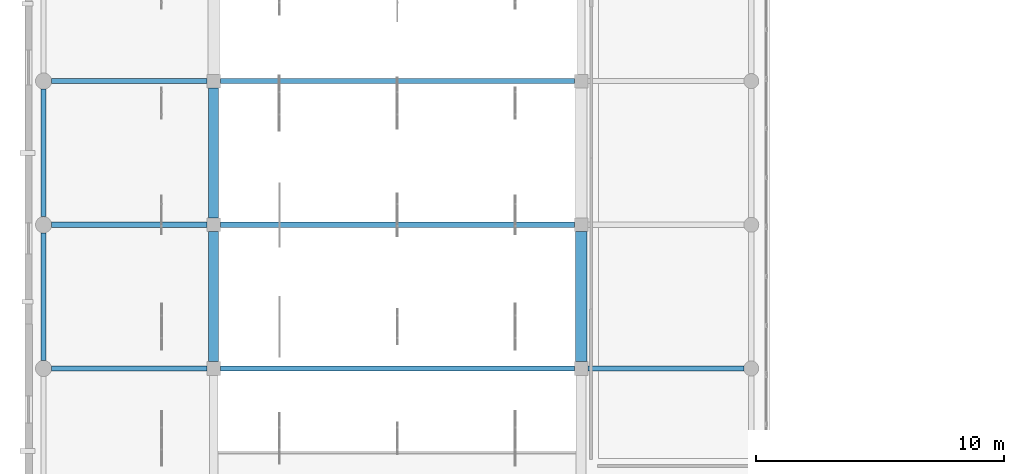
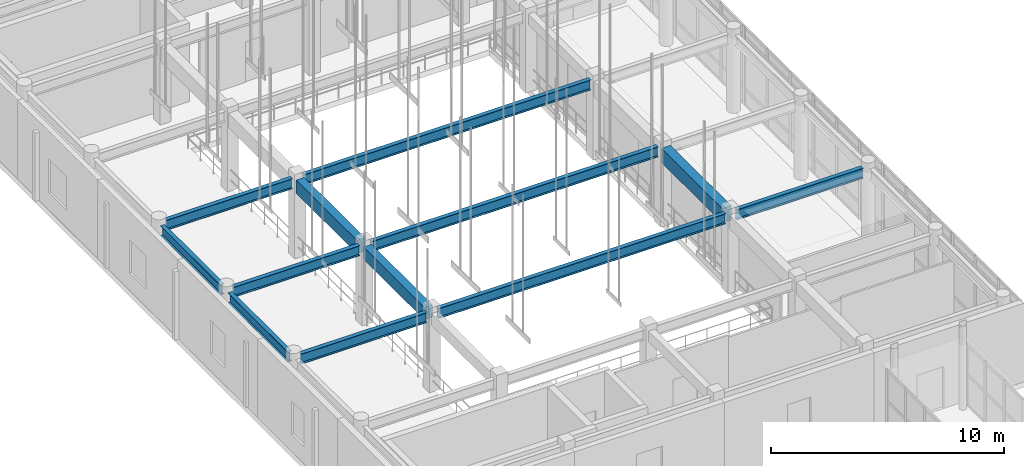
# One storey, part 32 of 142: 12 beams.
"""IFC4 building model written with IfcOpenShell, lengths in metres."""

import ifcopenshell
import ifcopenshell.guid

model = None  # the IFC model being written
_history = None  # IfcOwnerHistory: only IFC2X3 demands one
_inside = {}  # id of a spatial element -> (the spatial element, [elements in it])
_under = {}  # id of a project, library or spatial element -> (it, [spatial elements below it])
_declared = {}  # id of a project -> (the project, [libraries it declares])
_typed = {}  # id of a type object -> (the type object, [elements of that type])
_made_of = {}  # id of a material, layer set ... -> (it, [elements and type objects made of it])


def new_model(schema):
    """Start an empty IFC model of exactly this schema.

    Asked for "IFC4X3", IfcOpenShell would pick the latest addendum, in which some entities
    have other attributes; the version numbers below select the first issue.
    IFC2X3 requires an IfcOwnerHistory on every rooted entity: one is made here for all.
    """
    global model, _history
    if schema == "IFC4X3":
        model = ifcopenshell.file(schema_version=(4, 3, 0, 0))
    else:
        model = ifcopenshell.file(schema=schema)
    _inside.clear()
    _under.clear()
    _declared.clear()
    _typed.clear()
    _made_of.clear()
    _history = None
    if model.schema == "IFC2X3":
        org = make("IfcOrganization", Name="unknown")
        user = make(
            "IfcPersonAndOrganization",
            ThePerson=make("IfcPerson", FamilyName="unknown"),
            TheOrganization=org,
        )
        app = make(
            "IfcApplication",
            ApplicationDeveloper=org,
            Version="unknown",
            ApplicationFullName="unknown",
            ApplicationIdentifier="unknown",
        )
        _history = make(
            "IfcOwnerHistory",
            OwningUser=user,
            OwningApplication=app,
            ChangeAction="ADDED",
            CreationDate=0,
        )
    return model


def make(cls, **values):
    """One entity of the class cls with the attributes given. An attribute that is None is left unset."""
    return model.create_entity(
        cls, **{name: value for name, value in values.items() if value is not None}
    )


def rooted(cls, **values):
    """An entity with a GlobalId (a new one), such as an element, a storey or a relation."""
    return make(cls, GlobalId=ifcopenshell.guid.new(), OwnerHistory=_history, **values)


def si_unit(unit_type, name, prefix=None):
    """IfcSIUnit, for example si_unit("LENGTHUNIT", "METRE", prefix="MILLI")."""
    return make("IfcSIUnit", UnitType=unit_type, Prefix=prefix, Name=name)


def assignment(units):
    """IfcUnitAssignment: the units of a project."""
    return None if units is None else make("IfcUnitAssignment", Units=units)


def point(xyz):
    """IfcCartesianPoint."""
    return None if xyz is None else make("IfcCartesianPoint", Coordinates=xyz)


def direction(xyz):
    """IfcDirection."""
    return None if xyz is None else make("IfcDirection", DirectionRatios=xyz)


def frame(location, z_axis=None, x_axis=None):
    """IfcAxis2Placement3D, a coordinate frame: its origin and axes. An axis left out is left unset."""
    return make(
        "IfcAxis2Placement3D",
        Location=point(location),
        Axis=direction(z_axis),
        RefDirection=direction(x_axis),
    )


def frame_2d(location, x_axis=None):
    """IfcAxis2Placement2D, a coordinate frame in the plane: its origin and x axis."""
    return make(
        "IfcAxis2Placement2D", Location=point(location), RefDirection=direction(x_axis)
    )


def origin():
    """The frame at (0, 0, 0) with its axes left unset."""
    return frame((0.0, 0.0, 0.0))


def origin_2d():
    """The frame at (0, 0) in the plane with its x axis left unset."""
    return frame_2d((0.0, 0.0))


def place(relative_to, where):
    """IfcLocalPlacement: puts the frame where relative to a parent placement (None: the world)."""
    return make(
        "IfcLocalPlacement", PlacementRelTo=relative_to, RelativePlacement=where
    )


def context(
    kind, dimensions, precision=None, world=None, true_north=None, identifier=None
):
    """IfcGeometricRepresentationContext, for example the 3D "Model" context."""
    return make(
        "IfcGeometricRepresentationContext",
        ContextIdentifier=identifier,
        ContextType=kind,
        CoordinateSpaceDimension=dimensions,
        Precision=precision,
        WorldCoordinateSystem=world,
        TrueNorth=true_north,
    )


def subcontext(parent, identifier, kind, view, scale=None):
    """IfcGeometricRepresentationSubContext, for example "Body" below "Model"."""
    return make(
        "IfcGeometricRepresentationSubContext",
        ContextIdentifier=identifier,
        ContextType=kind,
        ParentContext=parent,
        TargetScale=scale,
        TargetView=view,
    )


def project(units=None, contexts=None):
    """IfcProject with its units and contexts."""
    return rooted(
        "IfcProject",
        Name="project",
        RepresentationContexts=contexts,
        UnitsInContext=assignment(units),
    )


def spatial(cls, under=None, at=None, **own):
    """A site, building, storey or space (cls), placed at a placement, below another one or the project."""
    s = rooted(cls, ObjectPlacement=at, **own)
    if under is not None:
        _under.setdefault(under.id(), (under, []))[1].append(s)
    return s


def profile(cls, at=None, kind="AREA", **sizes):
    """A parametric profile (cls). Its sizes go by their IFC names, for example OverallWidth=200.0."""
    return make(cls, ProfileType=kind, Position=at, **sizes)


def rectangle(**sizes):
    """IfcRectangleProfileDef."""
    return profile("IfcRectangleProfileDef", **sizes)


def i_section(**sizes):
    """IfcIShapeProfileDef."""
    return profile("IfcIShapeProfileDef", **sizes)


def extrude(swept, where, along, depth):
    """IfcExtrudedAreaSolid: the profile swept, set in the frame where, extruded along a direction by depth."""
    return make(
        "IfcExtrudedAreaSolid",
        SweptArea=swept,
        Position=where,
        ExtrudedDirection=direction(along),
        Depth=depth,
    )


def shape(context_of_items, identifier, shape_type, items):
    """IfcShapeRepresentation: the items that make up one representation, for example the "Body"."""
    return make(
        "IfcShapeRepresentation",
        ContextOfItems=context_of_items,
        RepresentationIdentifier=identifier,
        RepresentationType=shape_type,
        Items=items,
    )


def material(Name=None, Category=None):
    """IfcMaterial."""
    return make("IfcMaterial", Name=Name, Category=Category)


def material_profile(
    of_material, cross_section, Name=None, Category=None, Priority=None
):
    """IfcMaterialProfile: a cross section and its material."""
    return make(
        "IfcMaterialProfile",
        Name=Name,
        Material=of_material,
        Profile=cross_section,
        Priority=Priority,
        Category=Category,
    )


def profile_set(profiles, Name=None, composite=None):
    """IfcMaterialProfileSet."""
    return make(
        "IfcMaterialProfileSet",
        Name=Name,
        MaterialProfiles=profiles,
        CompositeProfile=composite,
    )


def made_of(thing, what):
    """Note that an element or type object is made of a material, layer set ...; save() writes the relation."""
    if what is not None:
        _made_of.setdefault(what.id(), (what, []))[1].append(thing)
    return thing


def type_object(cls, material=None, **own):
    """A type object (cls), such as IfcWallType, which elements share."""
    return made_of(rooted(cls, **own), material)


def element(
    cls,
    number,
    at=None,
    inside=None,
    cuts=None,
    type_object=None,
    material=None,
    context=None,
    identifier="Body",
    shape_type=None,
    held_by="IfcProductDefinitionShape",
    body=None,
    shapes=None,
    **own,
):
    """One element of the class cls, such as IfcWall. Its Tag is "e" and its number.

    at: its placement. inside: the storey or other place that contains it. cuts: it is an
    opening in that element (IfcRelVoidsElement). A single representation is given by context,
    identifier, shape_type and body (its items); several are given by shapes. held_by: the class
    of the entity that holds the representations. save() writes the other relations.
    """
    e = rooted(cls, Tag="e%d" % number, ObjectPlacement=at, **own)
    if body is not None:
        shapes = [shape(context, identifier, shape_type, body)]
    if shapes is not None:
        e.Representation = make(held_by, Representations=shapes)
    if inside is not None:
        _inside.setdefault(inside.id(), (inside, []))[1].append(e)
    if cuts is not None:
        rooted(
            "IfcRelVoidsElement", RelatingBuildingElement=cuts, RelatedOpeningElement=e
        )
    if type_object is not None:
        _typed.setdefault(type_object.id(), (type_object, []))[1].append(e)
    return made_of(e, material)


def aggregate(whole, parts):
    """IfcRelAggregates: a whole, such as a stair, and the parts it consists of."""
    return rooted("IfcRelAggregates", RelatingObject=whole, RelatedObjects=parts)


def save(model, path):
    """Write the relations noted so far, then the file.

    IfcRelAggregates (storeys below a building ...), IfcRelContainedInSpatialStructure (elements
    in a storey), IfcRelDefinesByType, IfcRelAssociatesMaterial and IfcRelDeclares: one each for
    every whole, place, type object, material and project.
    """
    for whole, parts in _under.values():
        aggregate(whole, parts)
    for where, things in _inside.values():
        rooted(
            "IfcRelContainedInSpatialStructure",
            RelatedElements=things,
            RelatingStructure=where,
        )
    for kind, things in _typed.values():
        rooted("IfcRelDefinesByType", RelatedObjects=things, RelatingType=kind)
    for what, things in _made_of.values():
        rooted("IfcRelAssociatesMaterial", RelatedObjects=things, RelatingMaterial=what)
    for by, libraries in _declared.values():
        rooted("IfcRelDeclares", RelatingContext=by, RelatedDefinitions=libraries)
    model.write(path)


model = new_model("IFC4")

# Units and contexts
model_context = context("Model", 3, precision=1e-05, world=origin(), true_north=direction((0.0, 1.0)))
body_context = subcontext(model_context, "Body", "Model", "MODEL_VIEW")
ifc_project = project(units=[si_unit("LENGTHUNIT", "METRE"), si_unit("AREAUNIT", "SQUARE_METRE"), si_unit("VOLUMEUNIT", "CUBIC_METRE"), si_unit("PLANEANGLEUNIT", "RADIAN"), si_unit("MASSUNIT", "GRAM", prefix="KILO")], contexts=[model_context])

# Site, building, storey
site_placement = place(None, origin())
site = spatial("IfcSite", under=ifc_project, at=site_placement, CompositionType="ELEMENT")
building_placement = place(site_placement, origin())
building = spatial("IfcBuilding", under=site, at=building_placement, Name="Valcora Specialist Clinic", CompositionType="ELEMENT")
storey_placement = place(building_placement, frame((0.0, 0.0, 5.10009765625)))
storey = spatial("IfcBuildingStorey", under=building, at=storey_placement, Name="L01", CompositionType="ELEMENT", Elevation=5.10009765625)

# Beams
ifc_material_1 = material(Name="Steel ASTM A992 Grade 50", Category="steel")
ifc_material_profile_1 = material_profile(ifc_material_1, i_section(OverallWidth=0.208984375, OverallDepth=0.532958984375, WebThickness=0.010009765625, FlangeThickness=0.01611328125, at=origin_2d()), Name="ST-IR-530X210")
ifc_profile_set_1 = profile_set([ifc_material_profile_1], Name="Steel ASTM A992 Grade 50")
beam_type_1 = type_object("IfcBeamType", Name="TY-BM-IR530", PredefinedType="SPANDREL", material=ifc_profile_set_1)
beam_1_placement = place(storey_placement, frame((1.074951171875, 50.321044921875, 3.849365234375), z_axis=(1.0, 0.0, 0.0), x_axis=(0.0, 1.0, 0.0)))
element("IfcBeam", 1, at=beam_1_placement, inside=storey, type_object=beam_type_1, Name="Beam BM-L01-0141", PredefinedType="SPANDREL", context=body_context, shape_type="SweptSolid", body=[
    extrude(i_section(OverallWidth=0.208984375, OverallDepth=0.532958984375, WebThickness=0.010009765625, FlangeThickness=0.01611328125, at=origin_2d()), origin(), (0.0, 0.0, 1.0), 6.25),
])
beam_2_placement = place(storey_placement, frame((7.875, 50.321044921875, 3.849365234375), z_axis=(1.0, 0.0, 0.0), x_axis=(0.0, 1.0, 0.0)))
element("IfcBeam", 2, at=beam_2_placement, inside=storey, type_object=beam_type_1, Name="Beam BM-L01-0142", PredefinedType="SPANDREL", context=body_context, shape_type="SweptSolid", body=[
    extrude(i_section(OverallWidth=0.208984375, OverallDepth=0.532958984375, WebThickness=0.010009765625, FlangeThickness=0.01611328125, at=origin_2d()), origin(), (0.0, 0.0, 1.0), 14.25),
])
beam_3_placement = place(storey_placement, frame((22.675048828125, 50.321044921875, 3.849365234375), z_axis=(1.0, 0.0, 0.0), x_axis=(0.0, 1.0, 0.0)))
element("IfcBeam", 3, at=beam_3_placement, inside=storey, type_object=beam_type_1, Name="Beam BM-L01-0143", PredefinedType="SPANDREL", context=body_context, shape_type="SweptSolid", body=[
    extrude(i_section(OverallWidth=0.208984375, OverallDepth=0.532958984375, WebThickness=0.010009765625, FlangeThickness=0.01611328125, at=origin_2d()), origin(), (0.0, 0.0, 1.0), 6.27490234375),
])
beam_4_placement = place(storey_placement, frame((1.074951171875, 56.10693359375, 3.849365234375), z_axis=(1.0, 0.0, 0.0), x_axis=(0.0, 1.0, 0.0)))
element("IfcBeam", 4, at=beam_4_placement, inside=storey, type_object=beam_type_1, Name="Beam BM-L01-0144", PredefinedType="SPANDREL", context=body_context, shape_type="SweptSolid", body=[
    extrude(i_section(OverallWidth=0.208984375, OverallDepth=0.532958984375, WebThickness=0.010009765625, FlangeThickness=0.01611328125, at=origin_2d()), origin(), (0.0, 0.0, 1.0), 6.25),
])
beam_5_placement = place(storey_placement, frame((7.875, 56.10693359375, 3.849365234375), z_axis=(1.0, 0.0, 0.0), x_axis=(0.0, 1.0, 0.0)))
element("IfcBeam", 5, at=beam_5_placement, inside=storey, type_object=beam_type_1, Name="Beam BM-L01-0145", PredefinedType="SPANDREL", context=body_context, shape_type="SweptSolid", body=[
    extrude(i_section(OverallWidth=0.208984375, OverallDepth=0.532958984375, WebThickness=0.010009765625, FlangeThickness=0.01611328125, at=origin_2d()), origin(), (0.0, 0.0, 1.0), 14.25),
])
beam_6_placement = place(storey_placement, frame((1.074951171875, 61.89306640625, 3.849365234375), z_axis=(1.0, 0.0, 0.0), x_axis=(0.0, 1.0, 0.0)))
element("IfcBeam", 6, at=beam_6_placement, inside=storey, type_object=beam_type_1, Name="Beam BM-L01-0147", PredefinedType="SPANDREL", context=body_context, shape_type="SweptSolid", body=[
    extrude(i_section(OverallWidth=0.208984375, OverallDepth=0.532958984375, WebThickness=0.010009765625, FlangeThickness=0.01611328125, at=origin_2d()), origin(), (0.0, 0.0, 1.0), 6.25),
])
beam_7_placement = place(storey_placement, frame((7.875, 61.89306640625, 3.849365234375), z_axis=(1.0, 0.0, 0.0), x_axis=(0.0, 1.0, 0.0)))
element("IfcBeam", 7, at=beam_7_placement, inside=storey, type_object=beam_type_1, Name="Beam BM-L01-0148", PredefinedType="SPANDREL", context=body_context, shape_type="SweptSolid", body=[
    extrude(i_section(OverallWidth=0.208984375, OverallDepth=0.532958984375, WebThickness=0.010009765625, FlangeThickness=0.01611328125, at=origin_2d()), origin(), (0.0, 0.0, 1.0), 14.25),
])
beam_8_placement = place(storey_placement, frame((0.75, 50.64599609375, 3.849365234375), z_axis=(0.0, 1.0, 0.0), x_axis=(-1.0, 0.0, 0.0)))
element("IfcBeam", 8, at=beam_8_placement, inside=storey, type_object=beam_type_1, Name="Beam BM-L01-0163", PredefinedType="SPANDREL", context=body_context, shape_type="SweptSolid", body=[
    extrude(i_section(OverallWidth=0.208984375, OverallDepth=0.532958984375, WebThickness=0.010009765625, FlangeThickness=0.01611328125, at=origin_2d()), origin(), (0.0, 0.0, 1.0), 5.135986328125),
])
beam_9_placement = place(storey_placement, frame((0.75, 56.431884765625, 3.849365234375), z_axis=(0.0, 1.0, 0.0), x_axis=(-1.0, 0.0, 0.0)))
element("IfcBeam", 9, at=beam_9_placement, inside=storey, type_object=beam_type_1, Name="Beam BM-L01-0164", PredefinedType="SPANDREL", context=body_context, shape_type="SweptSolid", body=[
    extrude(i_section(OverallWidth=0.208984375, OverallDepth=0.532958984375, WebThickness=0.010009765625, FlangeThickness=0.01611328125, at=origin_2d()), origin(), (0.0, 0.0, 1.0), 5.13623046875),
])
ifc_material_2 = material(Name="Concrete C40/50", Category="concrete")
ifc_material_profile_2 = material_profile(ifc_material_2, rectangle(XDim=0.39990234375, YDim=0.64990234375, at=origin_2d()), Name="RC-BM-400X650")
ifc_profile_set_2 = profile_set([ifc_material_profile_2], Name="Concrete C40/50")
beam_type_2 = type_object("IfcBeamType", Name="TY-BM-RC400X650", PredefinedType="BEAM", material=ifc_profile_set_2)
beam_10_placement = place(storey_placement, frame((7.60009765625, 50.595947265625, 3.794921875), z_axis=(0.0, 1.0, 0.0), x_axis=(-1.0, 0.0, 0.0)))
element("IfcBeam", 10, at=beam_10_placement, inside=storey, type_object=beam_type_2, Name="Beam BM-L01-0169", PredefinedType="BEAM", context=body_context, shape_type="SweptSolid", body=[
    extrude(rectangle(XDim=0.39990234375, YDim=0.64990234375, at=origin_2d()), origin(), (0.0, 0.0, 1.0), 5.236083984375),
])
ifc_material_profile_3 = material_profile(ifc_material_2, rectangle(XDim=0.39990234375, YDim=0.699951171875, at=origin_2d()), Name="RC-BM-400X700")
ifc_profile_set_3 = profile_set([ifc_material_profile_3], Name="Concrete C40/50")
beam_type_3 = type_object("IfcBeamType", Name="TY-BM-RC400X700", PredefinedType="BEAM", material=ifc_profile_set_3)
beam_11_placement = place(storey_placement, frame((7.60009765625, 56.382080078125, 3.77001953125), z_axis=(0.0, 1.0, 0.0), x_axis=(-1.0, 0.0, 0.0)))
element("IfcBeam", 11, at=beam_11_placement, inside=storey, type_object=beam_type_3, Name="Beam BM-L01-0170", PredefinedType="BEAM", context=body_context, shape_type="SweptSolid", body=[
    extrude(rectangle(XDim=0.39990234375, YDim=0.699951171875, at=origin_2d()), origin(), (0.0, 0.0, 1.0), 5.23583984375),
])
ifc_material_profile_4 = material_profile(ifc_material_2, rectangle(XDim=0.449951171875, YDim=0.75, at=origin_2d()), Name="RC-BM-450X750")
ifc_profile_set_4 = profile_set([ifc_material_profile_4], Name="Concrete C40/50")
beam_type_4 = type_object("IfcBeamType", Name="TY-BM-RC450X750", PredefinedType="BEAM", material=ifc_profile_set_4)
beam_12_placement = place(storey_placement, frame((22.39990234375, 50.595947265625, 3.744873046875), z_axis=(0.0, 1.0, 0.0), x_axis=(-1.0, 0.0, 0.0)))
element("IfcBeam", 12, at=beam_12_placement, inside=storey, type_object=beam_type_4, Name="Beam BM-L01-0177", PredefinedType="BEAM", context=body_context, shape_type="SweptSolid", body=[
    extrude(rectangle(XDim=0.449951171875, YDim=0.75, at=origin_2d()), origin(), (0.0, 0.0, 1.0), 5.236083984375),
])

save(model, "model.ifc")
